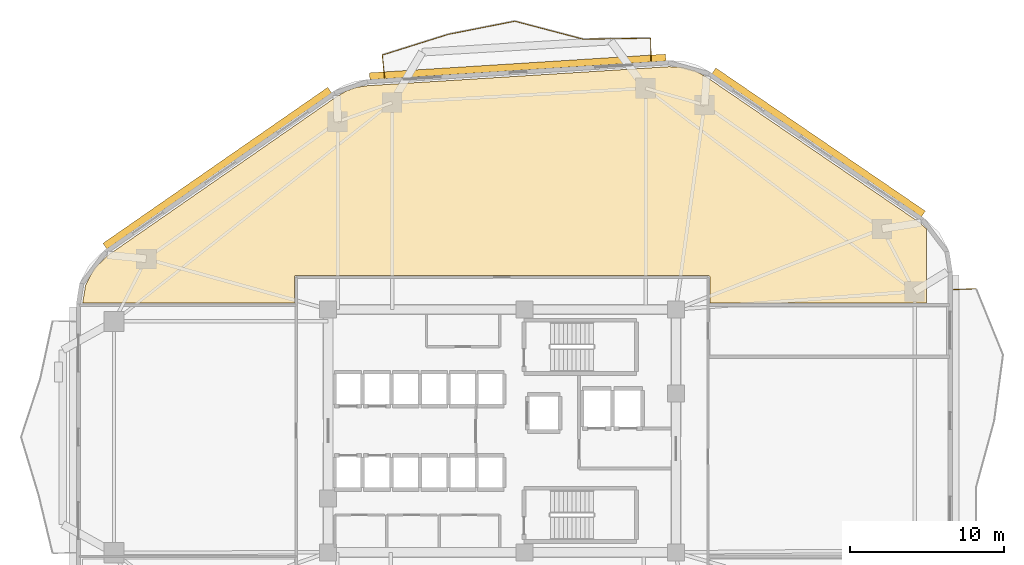
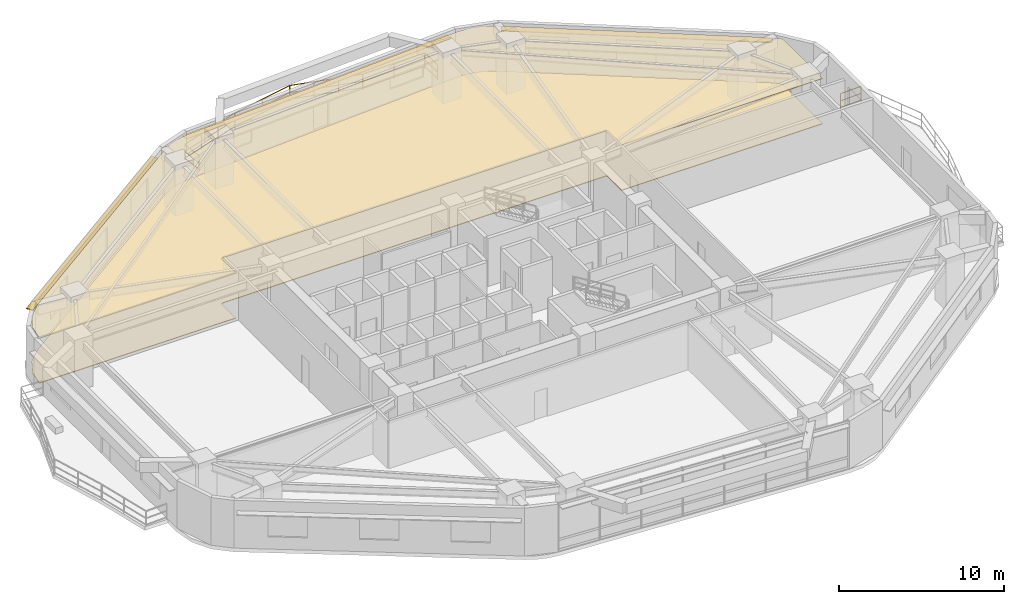
# One storey, part 13 of 13: 7 railings, 3 shading devices, 2 coverings.
"""IFC4 building model written with IfcOpenShell, lengths in metres."""

from ifc_helpers import new_model, si_unit, direction, frame, origin, origin_2d, place, context, subcontext, project, spatial, polyline, rectangle, outline, extrude, material, layer, layer_set, type_object, element, save


model = new_model("IFC4")

# Units and contexts
model_context = context("Model", 3, precision=1e-05, world=origin(), true_north=direction((0.0, 1.0)))
body_context = subcontext(model_context, "Body", "Model", "MODEL_VIEW")
ifc_project = project(units=[si_unit("LENGTHUNIT", "METRE"), si_unit("AREAUNIT", "SQUARE_METRE"), si_unit("VOLUMEUNIT", "CUBIC_METRE"), si_unit("PLANEANGLEUNIT", "RADIAN"), si_unit("MASSUNIT", "GRAM", prefix="KILO")], contexts=[model_context])

# Site, building, storey
site_placement = place(None, origin())
site = spatial("IfcSite", under=ifc_project, at=site_placement, CompositionType="ELEMENT")
building_placement = place(site_placement, origin())
building = spatial("IfcBuilding", under=site, at=building_placement, Name="Zulverin Broadcast Headquarters", CompositionType="ELEMENT")
storey_placement = place(building_placement, frame((0.0, 0.0, 70.60009765625)))
storey = spatial("IfcBuildingStorey", under=building, at=storey_placement, Name="L17", CompositionType="ELEMENT", Elevation=70.60009765625)

# Coverings
ifc_material_1 = material(Name="Perforated pale-metal acoustic baffle ceiling", Category="aluminium")
ifc_layer_1 = layer(ifc_material_1, 0.0400390625, Name="Perforated pale-metal acoustic baffle ceiling", Category="aluminium")
ifc_layer_set_1 = layer_set([ifc_layer_1], Name="Perforated pale-metal acoustic baffle ceiling")
covering_type_1 = type_object("IfcCoveringType", Name="COV-CEIL-ACOU", PredefinedType="CEILING", material=ifc_layer_set_1)
covering_1_placement = place(storey_placement, frame((0.0, 0.0, 3.344970703125)))
element("IfcCovering", 1, at=covering_1_placement, inside=storey, type_object=covering_type_1, Name="L17 Acoustic Baffle Ceiling 01", PredefinedType="CEILING", context=body_context, shape_type="SweptSolid", body=[
    extrude(outline(polyline([(11.4599609375, 36.583984375), (10.56005859375, 35.719970703125), (10.0, 34.639892578125), (9.81591796875, 33.5), (23.531982421875, 33.5), (23.531982421875, 35.152099609375), (23.531982421875, 35.1640625), (23.535888671875, 35.176025390625), (23.535888671875, 35.18798828125), (23.5400390625, 35.196044921875), (23.548095703125, 35.2080078125), (23.552001953125, 35.219970703125), (23.56005859375, 35.22802734375), (23.568115234375, 35.236083984375), (23.575927734375, 35.243896484375), (23.583984375, 35.251953125), (23.595947265625, 35.256103515625), (23.60791015625, 35.263916015625), (23.615966796875, 35.26806640625), (23.6279296875, 35.26806640625), (23.639892578125, 35.27197265625), (23.652099609375, 35.27197265625), (50.35205078125, 35.27197265625), (50.364013671875, 35.27197265625), (50.3759765625, 35.26806640625), (50.387939453125, 35.26806640625), (50.39599609375, 35.263916015625), (50.407958984375, 35.256103515625), (50.419921875, 35.251953125), (50.427978515625, 35.243896484375), (50.43603515625, 35.236083984375), (50.444091796875, 35.22802734375), (50.451904296875, 35.219970703125), (50.4560546875, 35.2080078125), (50.464111328125, 35.196044921875), (50.468017578125, 35.18798828125), (50.468017578125, 35.176025390625), (50.471923828125, 35.1640625), (50.471923828125, 35.152099609375), (50.471923828125, 33.5), (64.5, 33.5), (64.5, 38.303955078125), (64.115966796875, 38.672119140625), (50.248046875, 48.139892578125), (49.491943359375, 48.548095703125), (48.68408203125, 48.76806640625), (47.823974609375, 48.80810546875), (28.27587890625, 47.575927734375), (27.575927734375, 47.468017578125), (26.927978515625, 47.243896484375), (26.31591796875, 46.89599609375), (11.4599609375, 36.583984375)])), origin(), (0.0, 0.0, 1.0), 0.0400390625),
])
ifc_material_2 = material(Name="Anti-static broadcast raised access flooring", Category="stone")
ifc_layer_2 = layer(ifc_material_2, 0.050048828125, Name="Anti-static broadcast raised access flooring", Category="stone")
ifc_layer_set_2 = layer_set([ifc_layer_2], Name="Anti-static broadcast raised access flooring")
covering_type_2 = type_object("IfcCoveringType", Name="COV-FLR-RAISED", PredefinedType="FLOORING", material=ifc_layer_set_2)
covering_2_placement = place(storey_placement, origin())
element("IfcCovering", 2, at=covering_2_placement, inside=storey, type_object=covering_type_2, Name="L17 Broadcast Raised Access Flooring 01", PredefinedType="FLOORING", context=body_context, shape_type="SweptSolid", body=[
    extrude(outline(polyline([(11.4599609375, 36.583984375), (10.56005859375, 35.719970703125), (10.0, 34.639892578125), (9.81591796875, 33.5), (23.531982421875, 33.5), (23.531982421875, 35.152099609375), (23.531982421875, 35.1640625), (23.535888671875, 35.176025390625), (23.535888671875, 35.18798828125), (23.5400390625, 35.196044921875), (23.548095703125, 35.2080078125), (23.552001953125, 35.219970703125), (23.56005859375, 35.22802734375), (23.568115234375, 35.236083984375), (23.575927734375, 35.243896484375), (23.583984375, 35.251953125), (23.595947265625, 35.256103515625), (23.60791015625, 35.263916015625), (23.615966796875, 35.26806640625), (23.6279296875, 35.26806640625), (23.639892578125, 35.27197265625), (23.652099609375, 35.27197265625), (50.35205078125, 35.27197265625), (50.364013671875, 35.27197265625), (50.3759765625, 35.26806640625), (50.387939453125, 35.26806640625), (50.39599609375, 35.263916015625), (50.407958984375, 35.256103515625), (50.419921875, 35.251953125), (50.427978515625, 35.243896484375), (50.43603515625, 35.236083984375), (50.444091796875, 35.22802734375), (50.451904296875, 35.219970703125), (50.4560546875, 35.2080078125), (50.464111328125, 35.196044921875), (50.468017578125, 35.18798828125), (50.468017578125, 35.176025390625), (50.471923828125, 35.1640625), (50.471923828125, 35.152099609375), (50.471923828125, 33.5), (64.5, 33.5), (64.5, 38.303955078125), (64.115966796875, 38.672119140625), (50.248046875, 48.139892578125), (49.491943359375, 48.548095703125), (48.68408203125, 48.76806640625), (47.823974609375, 48.80810546875), (28.27587890625, 47.575927734375), (27.575927734375, 47.468017578125), (26.927978515625, 47.243896484375), (26.31591796875, 46.89599609375), (11.4599609375, 36.583984375)])), origin(), (0.0, 0.0, 1.0), 0.0498046875),
])

# Railings
ifc_material_3 = material(Name="Brushed stainless steel & laminated glass balustrade", Category="steel")
railing_type = type_object("IfcRailingType", Name="RL-GUARD-1150", PredefinedType="GUARDRAIL", material=ifc_material_3)
railing_1_placement = place(storey_placement, frame((67.705078125, 34.413818359375, 0.0)))
element("IfcRailing", 3, at=railing_1_placement, inside=storey, type_object=railing_type, Name="L17 Vertical-Forest Balcony Guardrail BAL_E Segment 06", PredefinedType="GUARDRAIL", context=body_context, shape_type="SweptSolid", body=[
    extrude(rectangle(XDim=0.048095703125, YDim=0.048095703125, at=origin_2d()), frame((0.0, 0.0, 1.1259765625), z_axis=(-0.999181155166, -0.040460093435, 0.0), x_axis=(0.040460093435, -0.999181155166, 0.0)), (0.0, 0.0, 1.0), 1.46630859375),
    extrude(rectangle(XDim=0.0419921875, YDim=0.0419921875, at=origin_2d()), frame((0.0, 0.0, 0.597900390625), z_axis=(-0.999181155166, -0.040460093435, 0.0), x_axis=(0.040460093435, -0.999181155166, 0.0)), (0.0, 0.0, 1.0), 1.46630859375),
    extrude(rectangle(XDim=0.0419921875, YDim=0.0419921875, at=origin_2d()), frame((0.0, 0.0, 0.1201171875), z_axis=(-0.999181155166, -0.040460093435, 0.0), x_axis=(0.040460093435, -0.999181155166, 0.0)), (0.0, 0.0, 1.0), 1.46630859375),
    extrude(rectangle(XDim=0.0419921875, YDim=0.0419921875, at=origin_2d()), origin(), (0.0, 0.0, 1.0), 1.101806640625),
    extrude(rectangle(XDim=0.0419921875, YDim=0.0419921875, at=origin_2d()), frame((-1.465087890625, -0.059326171875, 0.0)), (0.0, 0.0, 1.0), 1.101806640625),
])
railing_2_placement = place(storey_placement, frame((46.662841796875, 49.176025390625, 0.0)))
element("IfcRailing", 4, at=railing_2_placement, inside=storey, type_object=railing_type, Name="L17 Vertical-Forest Balcony Guardrail BAL_N Segment 01", PredefinedType="GUARDRAIL", context=body_context, shape_type="SweptSolid", body=[
    extrude(rectangle(XDim=0.048095703125, YDim=0.048095703125, at=origin_2d()), frame((0.0, 0.0, 1.1259765625), z_axis=(-0.022479328211, 0.999747307975, 0.0), x_axis=(-0.999747307975, -0.022479328211, 0.0)), (0.0, 0.0, 1.0), 1.46630859375),
    extrude(rectangle(XDim=0.0419921875, YDim=0.0419921875, at=origin_2d()), frame((0.0, 0.0, 0.597900390625), z_axis=(-0.022479328211, 0.999747307975, 0.0), x_axis=(-0.999747307975, -0.022479328211, 0.0)), (0.0, 0.0, 1.0), 1.46630859375),
    extrude(rectangle(XDim=0.0419921875, YDim=0.0419921875, at=origin_2d()), frame((0.0, 0.0, 0.1201171875), z_axis=(-0.022479328211, 0.999747307975, 0.0), x_axis=(-0.999747307975, -0.022479328211, 0.0)), (0.0, 0.0, 1.0), 1.46630859375),
    extrude(rectangle(XDim=0.0419921875, YDim=0.0419921875, at=origin_2d()), origin(), (0.0, 0.0, 1.0), 1.101806640625),
    extrude(rectangle(XDim=0.0419921875, YDim=0.0419921875, at=origin_2d()), frame((-0.032958984375, 1.4658203125, 0.0)), (0.0, 0.0, 1.0), 1.101806640625),
])
railing_3_placement = place(storey_placement, frame((46.614501953125, 50.65673828125, 0.0)))
element("IfcRailing", 5, at=railing_3_placement, inside=storey, type_object=railing_type, Name="L17 Vertical-Forest Balcony Guardrail BAL_N Segment 02", PredefinedType="GUARDRAIL", context=body_context, shape_type="SweptSolid", body=[
    extrude(rectangle(XDim=0.048095703125, YDim=0.048095703125, at=origin_2d()), frame((0.0, 0.0, 1.1259765625), z_axis=(-0.999879036246, -0.015553548667, 0.0), x_axis=(0.015553548667, -0.999879036246, 0.0)), (0.0, 0.0, 1.0), 4.332275390625),
    extrude(rectangle(XDim=0.0419921875, YDim=0.0419921875, at=origin_2d()), frame((0.0, 0.0, 0.597900390625), z_axis=(-0.999879036246, -0.015553548667, 0.0), x_axis=(0.015553548667, -0.999879036246, 0.0)), (0.0, 0.0, 1.0), 4.332275390625),
    extrude(rectangle(XDim=0.0419921875, YDim=0.0419921875, at=origin_2d()), frame((0.0, 0.0, 0.1201171875), z_axis=(-0.999879036246, -0.015553548667, 0.0), x_axis=(0.015553548667, -0.999879036246, 0.0)), (0.0, 0.0, 1.0), 4.332275390625),
    extrude(rectangle(XDim=0.0419921875, YDim=0.0419921875, at=origin_2d()), origin(), (0.0, 0.0, 1.0), 1.101806640625),
    extrude(rectangle(XDim=0.0419921875, YDim=0.0419921875, at=origin_2d()), frame((-2.166015625, -0.03369140625, 0.0)), (0.0, 0.0, 1.0), 1.101806640625),
    extrude(rectangle(XDim=0.0419921875, YDim=0.0419921875, at=origin_2d()), frame((-4.331787109375, -0.0673828125, 0.0)), (0.0, 0.0, 1.0), 1.101806640625),
])
railing_4_placement = place(storey_placement, frame((42.253173828125, 50.593017578125, 0.0)))
element("IfcRailing", 6, at=railing_4_placement, inside=storey, type_object=railing_type, Name="L17 Vertical-Forest Balcony Guardrail BAL_N Segment 03", PredefinedType="GUARDRAIL", context=body_context, shape_type="SweptSolid", body=[
    extrude(rectangle(XDim=0.048095703125, YDim=0.048095703125, at=origin_2d()), frame((0.0, 0.0, 1.1259765625), z_axis=(-0.967192331505, 0.254045259507, 0.0), x_axis=(-0.254045259507, -0.967192331505, 0.0)), (0.0, 0.0, 1.0), 4.56005859375),
    extrude(rectangle(XDim=0.0419921875, YDim=0.0419921875, at=origin_2d()), frame((0.0, 0.0, 0.597900390625), z_axis=(-0.967192331505, 0.254045259507, 0.0), x_axis=(-0.254045259507, -0.967192331505, 0.0)), (0.0, 0.0, 1.0), 4.56005859375),
    extrude(rectangle(XDim=0.0419921875, YDim=0.0419921875, at=origin_2d()), frame((0.0, 0.0, 0.1201171875), z_axis=(-0.967192331505, 0.254045259507, 0.0), x_axis=(-0.254045259507, -0.967192331505, 0.0)), (0.0, 0.0, 1.0), 4.56005859375),
    extrude(rectangle(XDim=0.0419921875, YDim=0.0419921875, at=origin_2d()), origin(), (0.0, 0.0, 1.0), 1.101806640625),
    extrude(rectangle(XDim=0.0419921875, YDim=0.0419921875, at=origin_2d()), frame((-1.47021484375, 0.38623046875, 0.0)), (0.0, 0.0, 1.0), 1.101806640625),
    extrude(rectangle(XDim=0.0419921875, YDim=0.0419921875, at=origin_2d()), frame((-2.940185546875, 0.772216796875, 0.0)), (0.0, 0.0, 1.0), 1.101806640625),
    extrude(rectangle(XDim=0.0419921875, YDim=0.0419921875, at=origin_2d()), frame((-4.410400390625, 1.158447265625, 0.0)), (0.0, 0.0, 1.0), 1.101806640625),
])
railing_5_placement = place(storey_placement, frame((37.8134765625, 51.752197265625, 0.0)))
element("IfcRailing", 7, at=railing_5_placement, inside=storey, type_object=railing_type, Name="L17 Vertical-Forest Balcony Guardrail BAL_N Segment 04", PredefinedType="GUARDRAIL", context=body_context, shape_type="SweptSolid", body=[
    extrude(rectangle(XDim=0.048095703125, YDim=0.048095703125, at=origin_2d()), frame((0.0, 0.0, 1.1259765625), z_axis=(-0.981131719927, -0.193340497964, 0.0), x_axis=(0.193340497964, -0.981131719927, 0.0)), (0.0, 0.0, 1.0), 4.365234375),
    extrude(rectangle(XDim=0.0419921875, YDim=0.0419921875, at=origin_2d()), frame((0.0, 0.0, 0.597900390625), z_axis=(-0.981131719927, -0.193340497964, 0.0), x_axis=(0.193340497964, -0.981131719927, 0.0)), (0.0, 0.0, 1.0), 4.365234375),
    extrude(rectangle(XDim=0.0419921875, YDim=0.0419921875, at=origin_2d()), frame((0.0, 0.0, 0.1201171875), z_axis=(-0.981131719927, -0.193340497964, 0.0), x_axis=(0.193340497964, -0.981131719927, 0.0)), (0.0, 0.0, 1.0), 4.365234375),
    extrude(rectangle(XDim=0.0419921875, YDim=0.0419921875, at=origin_2d()), origin(), (0.0, 0.0, 1.0), 1.101806640625),
    extrude(rectangle(XDim=0.0419921875, YDim=0.0419921875, at=origin_2d()), frame((-2.1416015625, -0.421875, 0.0)), (0.0, 0.0, 1.0), 1.101806640625),
    extrude(rectangle(XDim=0.0419921875, YDim=0.0419921875, at=origin_2d()), frame((-4.282958984375, -0.843994140625, 0.0)), (0.0, 0.0, 1.0), 1.101806640625),
])
railing_6_placement = place(storey_placement, frame((33.50146484375, 50.90087890625, 0.0)))
element("IfcRailing", 8, at=railing_6_placement, inside=storey, type_object=railing_type, Name="L17 Vertical-Forest Balcony Guardrail BAL_N Segment 05", PredefinedType="GUARDRAIL", context=body_context, shape_type="SweptSolid", body=[
    extrude(rectangle(XDim=0.048095703125, YDim=0.048095703125, at=origin_2d()), frame((0.0, 0.0, 1.1259765625), z_axis=(-0.954002220599, -0.29979953818, 0.0), x_axis=(0.29979953818, -0.954002220599, 0.0)), (0.0, 0.0, 1.0), 4.457763671875),
    extrude(rectangle(XDim=0.0419921875, YDim=0.0419921875, at=origin_2d()), frame((0.0, 0.0, 0.597900390625), z_axis=(-0.954002220599, -0.29979953818, 0.0), x_axis=(0.29979953818, -0.954002220599, 0.0)), (0.0, 0.0, 1.0), 4.457763671875),
    extrude(rectangle(XDim=0.0419921875, YDim=0.0419921875, at=origin_2d()), frame((0.0, 0.0, 0.1201171875), z_axis=(-0.954002220599, -0.29979953818, 0.0), x_axis=(0.29979953818, -0.954002220599, 0.0)), (0.0, 0.0, 1.0), 4.457763671875),
    extrude(rectangle(XDim=0.0419921875, YDim=0.0419921875, at=origin_2d()), origin(), (0.0, 0.0, 1.0), 1.101806640625),
    extrude(rectangle(XDim=0.0419921875, YDim=0.0419921875, at=origin_2d()), frame((-1.41748046875, -0.445556640625, 0.0)), (0.0, 0.0, 1.0), 1.101806640625),
    extrude(rectangle(XDim=0.0419921875, YDim=0.0419921875, at=origin_2d()), frame((-2.835205078125, -0.890869140625, 0.0)), (0.0, 0.0, 1.0), 1.101806640625),
    extrude(rectangle(XDim=0.0419921875, YDim=0.0419921875, at=origin_2d()), frame((-4.252685546875, -1.33642578125, 0.0)), (0.0, 0.0, 1.0), 1.101806640625),
])
railing_7_placement = place(storey_placement, frame((29.236083984375, 49.545166015625, 0.0)))
element("IfcRailing", 9, at=railing_7_placement, inside=storey, type_object=railing_type, Name="L17 Vertical-Forest Balcony Guardrail BAL_N Segment 06", PredefinedType="GUARDRAIL", context=body_context, shape_type="SweptSolid", body=[
    extrude(rectangle(XDim=0.048095703125, YDim=0.048095703125, at=origin_2d()), frame((0.0, 0.0, 1.1259765625), z_axis=(0.103393334431, -0.994640547331, 0.0), x_axis=(0.994640547331, 0.103393334431, 0.0)), (0.0, 0.0, 1.0), 1.46630859375),
    extrude(rectangle(XDim=0.0419921875, YDim=0.0419921875, at=origin_2d()), frame((0.0, 0.0, 0.597900390625), z_axis=(0.103393334431, -0.994640547331, 0.0), x_axis=(0.994640547331, 0.103393334431, 0.0)), (0.0, 0.0, 1.0), 1.46630859375),
    extrude(rectangle(XDim=0.0419921875, YDim=0.0419921875, at=origin_2d()), frame((0.0, 0.0, 0.1201171875), z_axis=(0.103393334431, -0.994640547331, 0.0), x_axis=(0.994640547331, 0.103393334431, 0.0)), (0.0, 0.0, 1.0), 1.46630859375),
    extrude(rectangle(XDim=0.0419921875, YDim=0.0419921875, at=origin_2d()), origin(), (0.0, 0.0, 1.0), 1.101806640625),
    extrude(rectangle(XDim=0.0419921875, YDim=0.0419921875, at=origin_2d()), frame((0.151611328125, -1.45849609375, 0.0)), (0.0, 0.0, 1.0), 1.101806640625),
])

# Shading devices
ifc_material_4 = material(Name="Anodized pale-metal aluminium sunshade", Category="aluminium")
ifc_layer_3 = layer(ifc_material_4, 0.06005859375, Name="Anodized pale-metal aluminium sunshade", Category="aluminium")
ifc_layer_set_3 = layer_set([ifc_layer_3], Name="Anodized pale-metal aluminium sunshade")
shading_device_type = type_object("IfcShadingDeviceType", Name="SS-01_PALE_METAL_ALUMINIUM_SUNSHADE", PredefinedType="USERDEFINED", material=ifc_layer_set_3)
shading_device_1_placement = place(storey_placement, frame((57.525390625, 43.8994140625, 2.7099609375), z_axis=(0.0, 0.0, 1.0), x_axis=(-0.825756855157, 0.564026254851, 0.0)))
element("IfcShadingDevice", 10, at=shading_device_1_placement, inside=storey, type_object=shading_device_type, Name="L17 Horizontal Pale-Metal Sunshade Band 4", ObjectType="SUNSHADE", PredefinedType="USERDEFINED", context=body_context, shape_type="SweptSolid", body=[
    extrude(rectangle(XDim=16.4482421875, YDim=0.449951171875, at=origin_2d()), origin(), (0.0, 0.0, 1.0), 0.06005859375),
])
shading_device_2_placement = place(storey_placement, frame((38.01513671875, 48.791015625, 2.7099609375), z_axis=(0.0, 0.0, 1.0), x_axis=(-0.998017621976, -0.062935095345, 0.0)))
element("IfcShadingDevice", 11, at=shading_device_2_placement, inside=storey, type_object=shading_device_type, Name="L17 Horizontal Pale-Metal Sunshade Band 5", ObjectType="SUNSHADE", PredefinedType="USERDEFINED", context=body_context, shape_type="SweptSolid", body=[
    extrude(rectangle(XDim=19.2294921875, YDim=0.449951171875, at=origin_2d()), origin(), (0.0, 0.0, 1.0), 0.06005859375),
])
shading_device_3_placement = place(storey_placement, frame((18.539794921875, 42.22802734375, 2.7099609375), z_axis=(0.0, 0.0, 1.0), x_axis=(-0.821556397865, -0.57012725345, 0.0)))
element("IfcShadingDevice", 12, at=shading_device_3_placement, inside=storey, type_object=shading_device_type, Name="L17 Horizontal Pale-Metal Sunshade Band 6", ObjectType="SUNSHADE", PredefinedType="USERDEFINED", context=body_context, shape_type="SweptSolid", body=[
    extrude(rectangle(XDim=17.732421875, YDim=0.449951171875, at=origin_2d()), origin(), (0.0, 0.0, 1.0), 0.06005859375),
])

save(model, "model.ifc")
